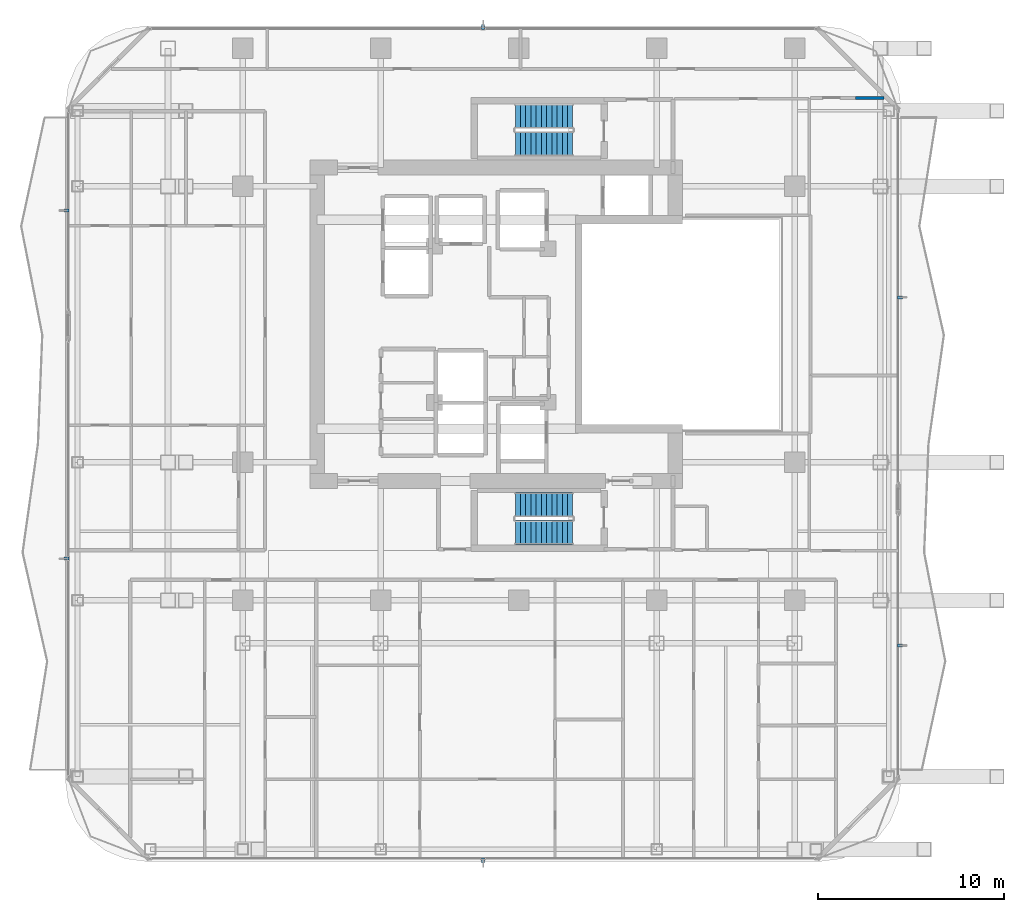
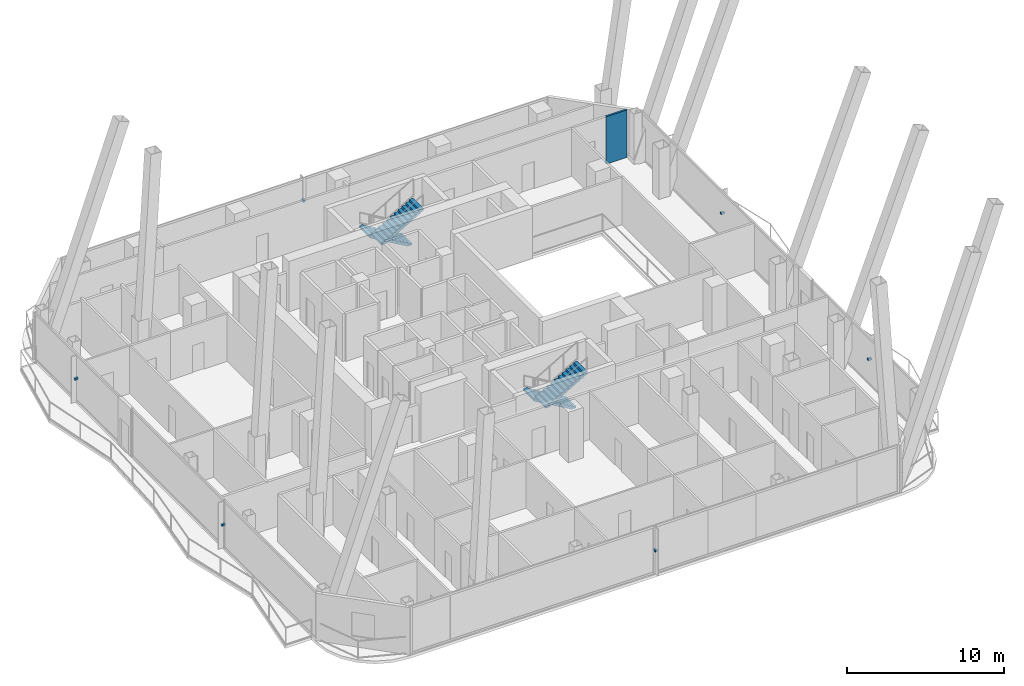
# One storey, part 24 of 27: 6 discrete accessories, 4 stair flights, 1 wall, 2 elements without a shape of their own.
"""IFC4 building model written with IfcOpenShell, lengths in metres."""

from ifc_helpers import new_model, si_unit, direction, frame, frame_2d, origin, origin_2d, place, context, subcontext, project, spatial, polyline, rectangle, outline, extrude, material, layer, layer_set, type_object, element, aggregate, save


model = new_model("IFC4")

# Units and contexts
model_context = context("Model", 3, precision=1e-05, world=origin(), true_north=direction((0.0, 1.0)))
body_context = subcontext(model_context, "Body", "Model", "MODEL_VIEW")
ifc_project = project(units=[si_unit("LENGTHUNIT", "METRE"), si_unit("AREAUNIT", "SQUARE_METRE"), si_unit("VOLUMEUNIT", "CUBIC_METRE"), si_unit("PLANEANGLEUNIT", "RADIAN"), si_unit("MASSUNIT", "GRAM", prefix="KILO")], contexts=[model_context])

# Site, building, storey
site_placement = place(None, origin())
site = spatial("IfcSite", under=ifc_project, at=site_placement, CompositionType="ELEMENT")
building_placement = place(site_placement, origin())
building = spatial("IfcBuilding", under=site, at=building_placement, Name="Khorvyn Point Tower", CompositionType="ELEMENT")
storey_placement = place(building_placement, frame((0.0, 0.0, 203.10009765625)))
storey = spatial("IfcBuildingStorey", under=building, at=storey_placement, Name="L50", CompositionType="ELEMENT", Elevation=203.10009765625)

# Wall
ifc_material_1 = material(Name="Moisture-resistant gypsum and cement board", Category="gypsum")
ifc_layer = layer(ifc_material_1, 0.14990234375)
ifc_layer_set = layer_set([ifc_layer], Name="Moisture-Resistant Wet-Room Partition Wall 150")
wall_type = type_object("IfcWallType", Name="Moisture-Resistant Wet-Room Partition Wall 150", PredefinedType="PARTITIONING", material=ifc_layer_set)
wall_placement = place(storey_placement, frame((18.070068359375, 12.139892578125, 0.0), z_axis=(0.0, 0.0, 1.0), x_axis=(1.0, 0.0, 0.0)))
element("IfcWall", 1, at=wall_placement, inside=storey, type_object=wall_type, Name="Wall", PredefinedType="PARTITIONING", context=body_context, shape_type="SweptSolid", body=[
    extrude(rectangle(XDim=1.52001953125, YDim=0.14990234375, at=frame_2d((0.760009765625, 0.0))), origin(), (0.0, 0.0, 1.0), 3.679931640625),
])

# Stair, stair flights
ifc_material_2 = material(Name="Concrete C40/50", Category="concrete")
stair_type = type_object("IfcStairType", Name="Tower Concrete C40/50 Dogleg Exit Stair", PredefinedType="HALF_TURN_STAIR", material=ifc_material_2)
stair_1_placement = place(storey_placement, origin())
stair_1 = element("IfcStair", 2, at=stair_1_placement, inside=storey, type_object=stair_type, Name="L50 Tower Smokeproof Exit Stair South", PredefinedType="HALF_TURN_STAIR")
stair_flight_type = type_object("IfcStairFlightType", Name="Tower Concrete C40/50 Stair Flight", PredefinedType="STRAIGHT", material=ifc_material_2)
stair_flight_1_placement = place(storey_placement, frame((2.89990234375, -9.679931640625, 0.0), z_axis=(0.0, 0.0, 1.0), x_axis=(-1.0, 0.0, 0.0)))
stair_flight_1 = element("IfcStairFlight", 3, at=stair_flight_1_placement, type_object=stair_flight_type, Name="ST-01 flight 1", NumberOfRisers=12, NumberOfTreads=11, PredefinedType="STRAIGHT", RiserHeight=0.1625, TreadLength=0.28, context=body_context, shape_type="SweptSolid", body=[
    extrude(outline(polyline([(0.0, 0.0), (0.0, 0.16259765625), (0.280029296875, 0.16259765625), (0.280029296875, 0.324951171875), (0.56005859375, 0.324951171875), (0.56005859375, 0.487548828125), (0.840087890625, 0.487548828125), (0.840087890625, 0.64990234375), (1.1201171875, 0.64990234375), (1.1201171875, 0.8125), (1.39990234375, 0.8125), (1.39990234375, 0.97509765625), (1.679931640625, 0.97509765625), (1.679931640625, 1.137451171875), (1.9599609375, 1.137451171875), (1.9599609375, 1.300048828125), (2.239990234375, 1.300048828125), (2.239990234375, 1.46240234375), (2.52001953125, 1.46240234375), (2.52001953125, 1.625), (2.800048828125, 1.625), (2.800048828125, 1.78759765625), (3.080078125, 1.78759765625), (3.080078125, 1.949951171875), (3.080078125, 1.6142578125), (0.298583984375, 0.0), (0.0, 0.0)])), frame((0.0, 0.66015625, 0.0), z_axis=(0.0, -1.0, 0.0), x_axis=(1.0, 0.0, 0.0)), (0.0, 0.0, 1.0), 1.320068359375),
])
stair_flight_2_placement = place(storey_placement, frame((-0.179931640625, -11.159912109375, 1.949951171875), z_axis=(0.0, 0.0, 1.0), x_axis=(1.0, 0.0, 0.0)))
stair_flight_2 = element("IfcStairFlight", 4, at=stair_flight_2_placement, type_object=stair_flight_type, Name="ST-01 flight 2", NumberOfRisers=12, NumberOfTreads=11, PredefinedType="STRAIGHT", RiserHeight=0.1625, TreadLength=0.28, context=body_context, shape_type="SweptSolid", body=[
    extrude(outline(polyline([(0.0, 0.0), (0.0, 0.16259765625), (0.280029296875, 0.16259765625), (0.280029296875, 0.324951171875), (0.56005859375, 0.324951171875), (0.56005859375, 0.487548828125), (0.840087890625, 0.487548828125), (0.840087890625, 0.64990234375), (1.1201171875, 0.64990234375), (1.1201171875, 0.8125), (1.39990234375, 0.8125), (1.39990234375, 0.97509765625), (1.679931640625, 0.97509765625), (1.679931640625, 1.137451171875), (1.9599609375, 1.137451171875), (1.9599609375, 1.300048828125), (2.239990234375, 1.300048828125), (2.239990234375, 1.46240234375), (2.52001953125, 1.46240234375), (2.52001953125, 1.625), (2.800048828125, 1.625), (2.800048828125, 1.78759765625), (3.080078125, 1.78759765625), (3.080078125, 1.949951171875), (3.080078125, 1.6142578125), (0.298583984375, 0.0), (0.0, 0.0)])), frame((0.0, 0.66015625, 0.0), z_axis=(0.0, -1.0, 0.0), x_axis=(1.0, 0.0, 0.0)), (0.0, 0.0, 1.0), 1.320068359375),
])
aggregate(stair_1, [stair_flight_1, stair_flight_2])

stair_2_placement = place(storey_placement, origin())
stair_2 = element("IfcStair", 5, at=stair_2_placement, inside=storey, type_object=stair_type, Name="L50 Tower Smokeproof Exit Stair North", PredefinedType="HALF_TURN_STAIR")
stair_flight_3_placement = place(storey_placement, frame((2.89990234375, 11.159912109375, 0.0), z_axis=(0.0, 0.0, 1.0), x_axis=(-1.0, 0.0, 0.0)))
stair_flight_3 = element("IfcStairFlight", 6, at=stair_flight_3_placement, type_object=stair_flight_type, Name="ST-02 flight 1", NumberOfRisers=12, NumberOfTreads=11, PredefinedType="STRAIGHT", RiserHeight=0.1625, TreadLength=0.28, context=body_context, shape_type="SweptSolid", body=[
    extrude(outline(polyline([(0.0, 0.0), (0.0, 0.16259765625), (0.280029296875, 0.16259765625), (0.280029296875, 0.324951171875), (0.56005859375, 0.324951171875), (0.56005859375, 0.487548828125), (0.840087890625, 0.487548828125), (0.840087890625, 0.64990234375), (1.1201171875, 0.64990234375), (1.1201171875, 0.8125), (1.39990234375, 0.8125), (1.39990234375, 0.97509765625), (1.679931640625, 0.97509765625), (1.679931640625, 1.137451171875), (1.9599609375, 1.137451171875), (1.9599609375, 1.300048828125), (2.239990234375, 1.300048828125), (2.239990234375, 1.46240234375), (2.52001953125, 1.46240234375), (2.52001953125, 1.625), (2.800048828125, 1.625), (2.800048828125, 1.78759765625), (3.080078125, 1.78759765625), (3.080078125, 1.949951171875), (3.080078125, 1.6142578125), (0.298583984375, 0.0), (0.0, 0.0)])), frame((0.0, 0.66015625, 0.0), z_axis=(0.0, -1.0, 0.0), x_axis=(1.0, 0.0, 0.0)), (0.0, 0.0, 1.0), 1.320068359375),
])
stair_flight_4_placement = place(storey_placement, frame((-0.179931640625, 9.679931640625, 1.949951171875), z_axis=(0.0, 0.0, 1.0), x_axis=(1.0, 0.0, 0.0)))
stair_flight_4 = element("IfcStairFlight", 7, at=stair_flight_4_placement, type_object=stair_flight_type, Name="ST-02 flight 2", NumberOfRisers=12, NumberOfTreads=11, PredefinedType="STRAIGHT", RiserHeight=0.1625, TreadLength=0.28, context=body_context, shape_type="SweptSolid", body=[
    extrude(outline(polyline([(0.0, 0.0), (0.0, 0.16259765625), (0.280029296875, 0.16259765625), (0.280029296875, 0.324951171875), (0.56005859375, 0.324951171875), (0.56005859375, 0.487548828125), (0.840087890625, 0.487548828125), (0.840087890625, 0.64990234375), (1.1201171875, 0.64990234375), (1.1201171875, 0.8125), (1.39990234375, 0.8125), (1.39990234375, 0.97509765625), (1.679931640625, 0.97509765625), (1.679931640625, 1.137451171875), (1.9599609375, 1.137451171875), (1.9599609375, 1.300048828125), (2.239990234375, 1.300048828125), (2.239990234375, 1.46240234375), (2.52001953125, 1.46240234375), (2.52001953125, 1.625), (2.800048828125, 1.625), (2.800048828125, 1.78759765625), (3.080078125, 1.78759765625), (3.080078125, 1.949951171875), (3.080078125, 1.6142578125), (0.298583984375, 0.0), (0.0, 0.0)])), frame((0.0, 0.66015625, 0.0), z_axis=(0.0, -1.0, 0.0), x_axis=(1.0, 0.0, 0.0)), (0.0, 0.0, 1.0), 1.320068359375),
])
aggregate(stair_2, [stair_flight_3, stair_flight_4])

# Discrete accessories
ifc_material_3 = material(Name="Stainless steel 1.4401", Category="steel")
discrete_accessory_type = type_object("IfcDiscreteAccessoryType", Name="Stainless Steel 316 Facade Fin Fixing Bracket", PredefinedType="BRACKET", material=ifc_material_3)
for number, where, z_axis, x_axis, name in (
    (8, (-1.89990234375, -28.75, 1.759765625), (0.0, 0.0, 1.0), (-1.0, 0.0, 0.0), "L50 Solar Fin Fixing Bracket 01"),
    (9, (-1.89990234375, 15.949951171875, 1.759765625), (0.0, 0.0, 1.0), (1.0, 0.0, 0.0), "L50 Solar Fin Fixing Bracket 01"),
    (10, (-24.25, -12.56640625, 1.759765625), (0.0, 0.0, 1.0), (0.0, 1.0, 0.0), "L50 Solar Fin Fixing Bracket 01"),
    (11, (-24.25, 6.103515625, 1.759765625), (0.0, 0.0, 1.0), (0.0, 1.0, 0.0), "L50 Solar Fin Fixing Bracket 01"),
    (12, (20.449951171875, 1.451416015625, 1.759765625), (0.0, 0.0, 1.0), (0.0, -1.0, 0.0), "L50 Solar Fin Fixing Bracket 01"),
    (13, (20.449951171875, -17.218505859375, 1.759765625), (0.0, 0.0, 1.0), (0.0, -1.0, 0.0), "L50 Solar Fin Fixing Bracket 01"),
):
    element("IfcDiscreteAccessory", number, at=place(storey_placement, frame(where, z_axis=z_axis, x_axis=x_axis)), inside=storey, type_object=discrete_accessory_type, Name=name, PredefinedType="BRACKET", context=body_context, shape_type="SweptSolid", body=[
        extrude(rectangle(XDim=0.159912109375, YDim=0.260009765625, at=origin_2d()), origin(), (0.0, 0.0, 1.0), 0.159912109375),
    ])

save(model, "model.ifc")
